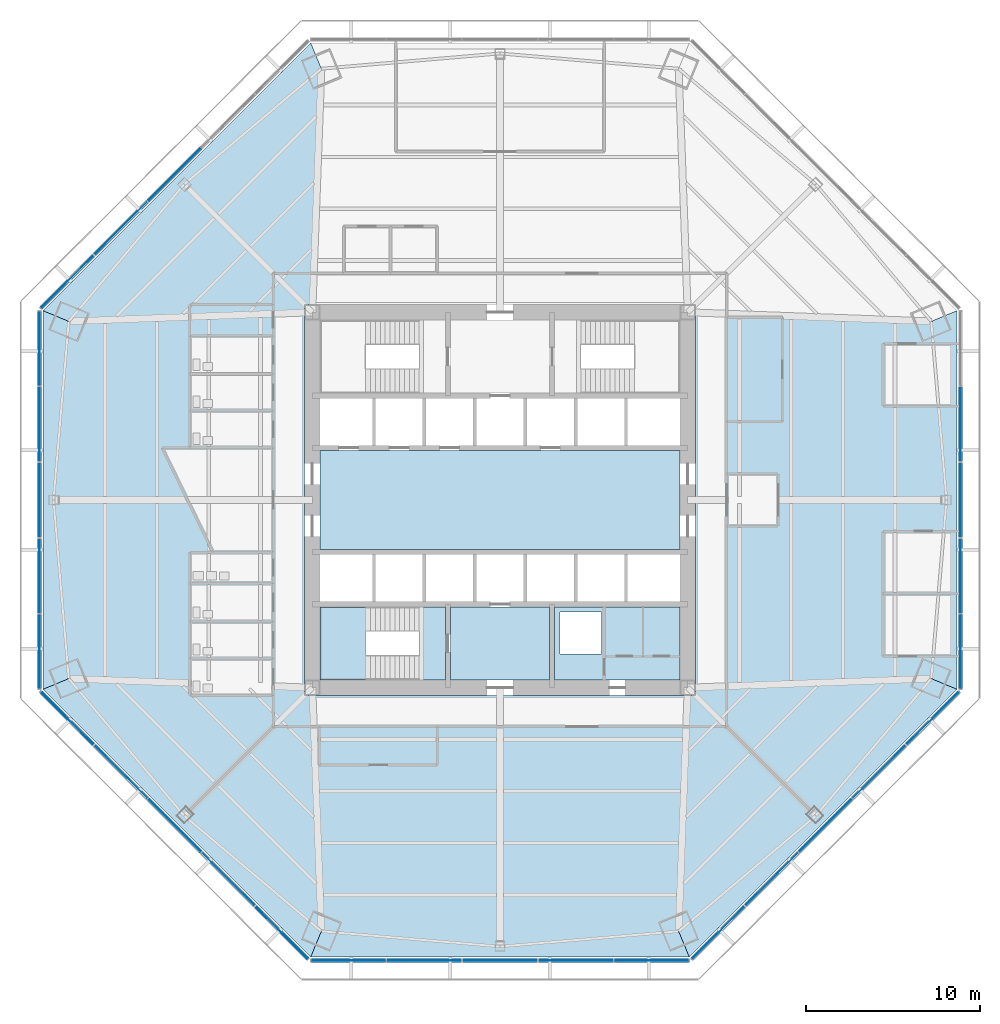
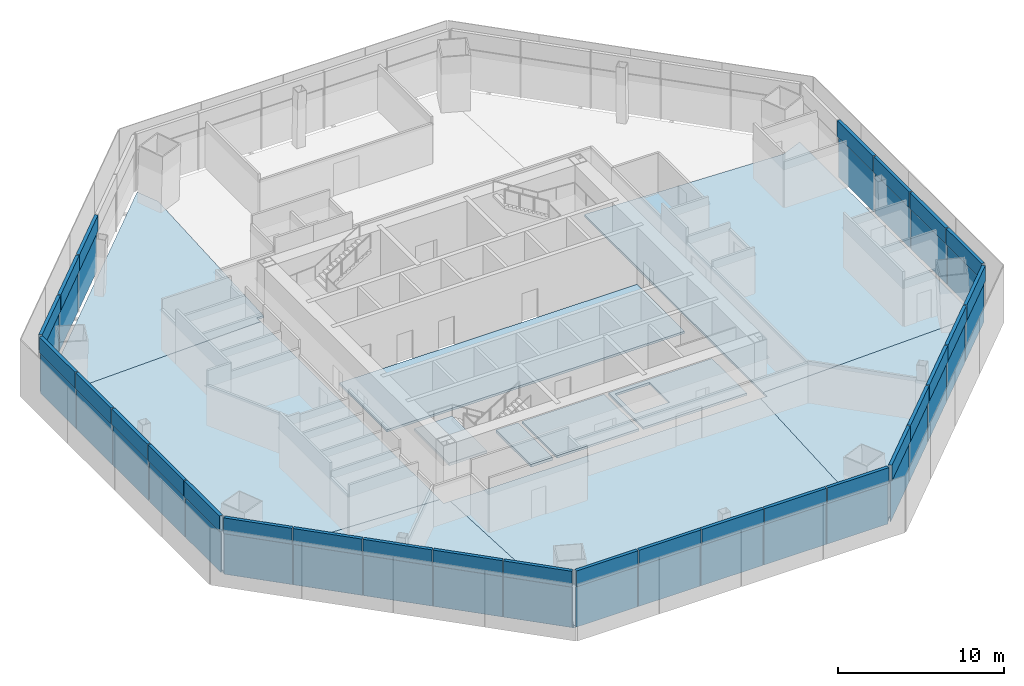
# One storey, part 7 of 14: 54 plates, 11 slabs, 7 elements without a shape of their own.
"""IFC4 building model written with IfcOpenShell, lengths in metres."""

from ifc_helpers import new_model, si_unit, direction, frame, origin, origin_2d, place, context, subcontext, project, spatial, polyline, rectangle, outline, extrude, source, transform, mapped, material, layer, layer_set, type_object, type_shapes, element, aggregate, save


model = new_model("IFC4")

# Units and contexts
model_context = context("Model", 3, precision=1e-05, world=origin(), true_north=direction((0.0, 1.0)))
body_context = subcontext(model_context, "Body", "Model", "MODEL_VIEW")
ifc_project = project(units=[si_unit("LENGTHUNIT", "METRE"), si_unit("AREAUNIT", "SQUARE_METRE"), si_unit("VOLUMEUNIT", "CUBIC_METRE"), si_unit("PLANEANGLEUNIT", "RADIAN"), si_unit("MASSUNIT", "GRAM", prefix="KILO")], contexts=[model_context])

# Site, building, storey
site_placement = place(None, origin())
site = spatial("IfcSite", under=ifc_project, at=site_placement, CompositionType="ELEMENT")
building_placement = place(site_placement, origin())
building = spatial("IfcBuilding", under=site, at=building_placement, Name="Mashrafa Tower", CompositionType="ELEMENT")
storey_placement = place(building_placement, frame((0.0, 0.0, 54.0)))
storey = spatial("IfcBuildingStorey", under=building, at=storey_placement, Name="L11", CompositionType="ELEMENT", Elevation=54.0)

# Slabs
ifc_material_1 = material(Name="Concrete C35/45", Category="concrete")
ifc_layer_1 = layer(ifc_material_1, 0.1650390625)
ifc_layer_set_1 = layer_set([ifc_layer_1], Name="Floor slab 165")
slab_type_1 = type_object("IfcSlabType", Name="Floor slab 165", PredefinedType="FLOOR", material=ifc_layer_set_1)
slab_1_placement = place(storey_placement, frame((0.0, 0.0, -0.1650390625)))
element("IfcSlab", 1, at=slab_1_placement, inside=storey, type_object=slab_type_1, Name="Floor slab L11 east bay", PredefinedType="FLOOR", context=body_context, shape_type="SweptSolid", body=[
    extrude(outline(polyline([(26.287109375, -10.888427734375), (24.813720703125, -10.278076171875), (11.25, -10.783203125), (11.25, 10.783203125), (24.813720703125, 10.278076171875), (26.287109375, 10.888427734375), (26.287109375, -10.888427734375)])), origin(), (0.0, 0.0, 1.0), 0.1650390625),
])
slab_2_placement = place(storey_placement, frame((0.0, 0.0, -0.1650390625)))
element("IfcSlab", 2, at=slab_2_placement, inside=storey, type_object=slab_type_1, Name="Floor slab L11 north-west bay", PredefinedType="FLOOR", context=body_context, shape_type="SweptSolid", body=[
    extrude(outline(polyline([(-26.287109375, 10.888427734375), (-10.888427734375, 26.287109375), (-10.888427734375, 26.287109375), (-10.278076171875, 24.813720703125), (-10.783203125, 11.25), (-11.25, 11.25), (-11.25, 10.783203125), (-24.813720703125, 10.278076171875), (-26.287109375, 10.888427734375), (-26.287109375, 10.888427734375)])), origin(), (0.0, 0.0, 1.0), 0.1650390625),
])
slab_3_placement = place(storey_placement, frame((0.0, 0.0, -0.1650390625)))
element("IfcSlab", 3, at=slab_3_placement, inside=storey, type_object=slab_type_1, Name="Floor slab L11 west bay", PredefinedType="FLOOR", context=body_context, shape_type="SweptSolid", body=[
    extrude(outline(polyline([(-26.287109375, 10.888427734375), (-24.813720703125, 10.278076171875), (-11.25, 10.783203125), (-11.25, -10.783203125), (-24.813720703125, -10.278076171875), (-26.287109375, -10.888427734375), (-26.287109375, 10.888427734375)])), origin(), (0.0, 0.0, 1.0), 0.1650390625),
])
slab_4_placement = place(storey_placement, frame((0.0, 0.0, -0.1650390625)))
element("IfcSlab", 4, at=slab_4_placement, inside=storey, type_object=slab_type_1, Name="Floor slab L11 south-west bay", PredefinedType="FLOOR", context=body_context, shape_type="SweptSolid", body=[
    extrude(outline(polyline([(-10.888427734375, -26.287109375), (-26.287109375, -10.888427734375), (-26.287109375, -10.888427734375), (-24.813720703125, -10.278076171875), (-11.25, -10.783203125), (-11.25, -11.25), (-10.783203125, -11.25), (-10.278076171875, -24.813720703125), (-10.888427734375, -26.287109375), (-10.888427734375, -26.287109375)])), origin(), (0.0, 0.0, 1.0), 0.1650390625),
])
slab_5_placement = place(storey_placement, frame((0.0, 0.0, -0.1650390625)))
element("IfcSlab", 5, at=slab_5_placement, inside=storey, type_object=slab_type_1, Name="Floor slab L11 south bay", PredefinedType="FLOOR", context=body_context, shape_type="SweptSolid", body=[
    extrude(outline(polyline([(-10.888427734375, -26.287109375), (-10.278076171875, -24.813720703125), (-10.783203125, -11.25), (10.783203125, -11.25), (10.278076171875, -24.813720703125), (10.888427734375, -26.287109375), (-10.888427734375, -26.287109375)])), origin(), (0.0, 0.0, 1.0), 0.1650390625),
])
slab_6_placement = place(storey_placement, frame((0.0, 0.0, -0.1650390625)))
element("IfcSlab", 6, at=slab_6_placement, inside=storey, type_object=slab_type_1, Name="Floor slab L11 south-east bay", PredefinedType="FLOOR", context=body_context, shape_type="SweptSolid", body=[
    extrude(outline(polyline([(10.888427734375, -26.287109375), (10.278076171875, -24.813720703125), (10.783203125, -11.25), (11.25, -11.25), (11.25, -10.783203125), (24.813720703125, -10.278076171875), (26.287109375, -10.888427734375), (26.287109375, -10.888427734375), (10.888427734375, -26.287109375), (10.888427734375, -26.287109375)])), origin(), (0.0, 0.0, 1.0), 0.1650390625),
])
slab_7_placement = place(storey_placement, frame((0.0, 0.0, -0.1650390625)))
element("IfcSlab", 7, at=slab_7_placement, inside=storey, type_object=slab_type_1, Name="Core floor lift hall L11", PredefinedType="FLOOR", context=body_context, shape_type="SweptSolid", body=[
    extrude(outline(polyline([(-10.35009765625, 2.85009765625), (10.35009765625, 2.85009765625), (10.35009765625, -2.85009765625), (-10.35009765625, -2.85009765625), (-10.35009765625, 2.85009765625)])), origin(), (0.0, 0.0, 1.0), 0.1650390625),
])
slab_8_placement = place(storey_placement, frame((0.0, 0.0, -0.1650390625)))
element("IfcSlab", 8, at=slab_8_placement, inside=storey, type_object=slab_type_1, Name="Core floor riser and electrical band L11", PredefinedType="FLOOR", context=body_context, shape_type="SweptSolid", body=[
    extrude(outline(polyline([(10.35009765625, -6.14990234375), (10.35009765625, -10.35009765625), (3.14990234375, -10.35009765625), (3.14990234375, -6.14990234375), (10.35009765625, -6.14990234375)]), holes=[polyline([(3.449951171875, -8.85009765625), (5.85009765625, -8.85009765625), (5.85009765625, -6.449951171875), (3.449951171875, -6.449951171875), (3.449951171875, -8.85009765625)])]), origin(), (0.0, 0.0, 1.0), 0.1650390625),
])
slab_9_placement = place(storey_placement, frame((0.0, 0.0, -0.1650390625)))
element("IfcSlab", 9, at=slab_9_placement, inside=storey, type_object=slab_type_1, Name="Core floor fire-fighting lobby south L11", PredefinedType="FLOOR", context=body_context, shape_type="SweptSolid", body=[
    extrude(outline(polyline([(2.85009765625, -6.14990234375), (2.85009765625, -10.35009765625), (-2.85009765625, -10.35009765625), (-2.85009765625, -6.14990234375), (2.85009765625, -6.14990234375)])), origin(), (0.0, 0.0, 1.0), 0.1650390625),
])

# Stair, slabs
ifc_material_2 = material(Name="Exit stair 1400")
stair_type = type_object("IfcStairType", Name="Exit stair 1400", PredefinedType="HALF_TURN_STAIR", material=ifc_material_2)
stair_placement = place(storey_placement, origin())
stair = element("IfcStair", 10, at=stair_placement, inside=storey, type_object=stair_type, Name="Stair S3 L11", PredefinedType="HALF_TURN_STAIR")
ifc_material_3 = material(Name="Concrete C32/40", Category="concrete")
ifc_layer_2 = layer(ifc_material_3, 0.199951171875)
ifc_layer_set_2 = layer_set([ifc_layer_2], Name="Stair landing 200")
slab_type_2 = type_object("IfcSlabType", Name="Stair landing 200", PredefinedType="LANDING", material=ifc_layer_set_2)
slab_10_placement = place(storey_placement, frame((0.0, 0.0, -0.199951171875)))
slab_10 = element("IfcSlab", 11, at=slab_10_placement, type_object=slab_type_2, Name="S3 landing 1", PredefinedType="LANDING", context=body_context, shape_type="SweptSolid", body=[
    extrude(outline(polyline([(-4.659912109375, -10.35009765625), (-3.14990234375, -10.35009765625), (-3.14990234375, -6.14990234375), (-4.659912109375, -6.14990234375), (-4.659912109375, -10.35009765625)])), origin(), (0.0, 0.0, 1.0), 0.199951171875),
])
slab_11_placement = place(storey_placement, frame((0.0, 0.0, 1.89990234375)))
slab_11 = element("IfcSlab", 12, at=slab_11_placement, type_object=slab_type_2, Name="S3 landing 2", PredefinedType="LANDING", context=body_context, shape_type="SweptSolid", body=[
    extrude(outline(polyline([(-10.35009765625, -10.35009765625), (-7.719970703125, -10.35009765625), (-7.719970703125, -6.14990234375), (-10.35009765625, -6.14990234375), (-10.35009765625, -10.35009765625)])), origin(), (0.0, 0.0, 1.0), 0.2001953125),
])
aggregate(stair, [slab_10, slab_11])

# Curtain wall, plate
ifc_material_4 = material(Name="Unitised aluminium curtain wall", Category="aluminium")
curtain_wall_type = type_object("IfcCurtainWallType", Name="Office curtain wall, zone 1 CW-A 200 deep", PredefinedType="NOTDEFINED", material=ifc_material_4)
curtain_wall_1_placement = place(storey_placement, origin())
curtain_wall_1 = element("IfcCurtainWall", 13, at=curtain_wall_1_placement, inside=storey, type_object=curtain_wall_type, Name="Office curtain wall, zone 1 L11 east", PredefinedType="NOTDEFINED")
ifc_material_5 = material(Name="Insulated double glazing, low-e, neutral", Category="glass")
ifc_layer_3 = layer(ifc_material_5, 0.028076171875)
ifc_layer_set_3 = layer_set([ifc_layer_3], Name="Vision panel CW-A 28")
plate_type_1 = type_object("IfcPlateType", Name="Vision panel CW-A 28", PredefinedType="CURTAIN_PANEL", material=ifc_layer_set_3)
shared_shape_1 = source(origin(), body_context, "Body", "SweptSolid", [
    extrude(rectangle(XDim=4.2705078125, YDim=0.028076171875, at=origin_2d()), origin(), (0.0, 0.0, 1.0), 2.9599609375),
])
plate_1_placement = place(storey_placement, frame((26.487060546875, -8.7197265625, 0.0), z_axis=(0.0, 0.0, 1.0), x_axis=(0.0, 1.0, 0.0)))
plate_1 = element("IfcPlate", 14, at=plate_1_placement, type_object=plate_type_1, Name="CW-A vision panel 1", PredefinedType="CURTAIN_PANEL", context=body_context, shape_type="MappedRepresentation", body=[
    mapped(shared_shape_1, transform((0.0, 0.0, 0.0))),
])

curtain_wall_2_placement = place(storey_placement, origin())
curtain_wall_2 = element("IfcCurtainWall", 15, at=curtain_wall_2_placement, inside=storey, type_object=curtain_wall_type, Name="Office curtain wall, zone 1 L11 north-west", PredefinedType="NOTDEFINED")
plate_2_placement = place(storey_placement, frame((-24.89501953125, 12.5634765625, 0.0), z_axis=(0.0, 0.0, 1.0), x_axis=(-0.707106781187, -0.707106781187, 0.0)))
plate_2 = element("IfcPlate", 16, at=plate_2_placement, type_object=plate_type_1, Name="CW-A vision panel 5", PredefinedType="CURTAIN_PANEL", context=body_context, shape_type="MappedRepresentation", body=[
    mapped(shared_shape_1, transform((0.0, 0.0, 0.0))),
])

# Curtain wall, plates
curtain_wall_3_placement = place(storey_placement, origin())
curtain_wall_3 = element("IfcCurtainWall", 17, at=curtain_wall_3_placement, inside=storey, type_object=curtain_wall_type, Name="Office curtain wall, zone 1 L11 west", PredefinedType="NOTDEFINED")
plate_3_placement = place(storey_placement, frame((-26.487060546875, 8.7197265625, 0.0), z_axis=(0.0, 0.0, 1.0), x_axis=(0.0, -1.0, 0.0)))
plate_3 = element("IfcPlate", 18, at=plate_3_placement, type_object=plate_type_1, Name="CW-A vision panel 1", PredefinedType="CURTAIN_PANEL", context=body_context, shape_type="MappedRepresentation", body=[
    mapped(shared_shape_1, transform((0.0, 0.0, 0.0))),
])
plate_4_placement = place(storey_placement, frame((-26.487060546875, -8.7197265625, 0.0), z_axis=(0.0, 0.0, 1.0), x_axis=(0.0, -1.0, 0.0)))
plate_4 = element("IfcPlate", 19, at=plate_4_placement, type_object=plate_type_1, Name="CW-A vision panel 5", PredefinedType="CURTAIN_PANEL", context=body_context, shape_type="MappedRepresentation", body=[
    mapped(shared_shape_1, transform((0.0, 0.0, 0.0))),
])

curtain_wall_4_placement = place(storey_placement, origin())
curtain_wall_4 = element("IfcCurtainWall", 20, at=curtain_wall_4_placement, inside=storey, type_object=curtain_wall_type, Name="Office curtain wall, zone 1 L11 south-west", PredefinedType="NOTDEFINED")
plate_5_placement = place(storey_placement, frame((-24.89501953125, -12.5634765625, 0.0), z_axis=(0.0, 0.0, 1.0), x_axis=(0.707106781187, -0.707106781187, 0.0)))
plate_5 = element("IfcPlate", 21, at=plate_5_placement, type_object=plate_type_1, Name="CW-A vision panel 1", PredefinedType="CURTAIN_PANEL", context=body_context, shape_type="MappedRepresentation", body=[
    mapped(shared_shape_1, transform((0.0, 0.0, 0.0))),
])
plate_6_placement = place(storey_placement, frame((-12.5634765625, -24.89501953125, 0.0), z_axis=(0.0, 0.0, 1.0), x_axis=(0.707106781187, -0.707106781187, 0.0)))
plate_6 = element("IfcPlate", 22, at=plate_6_placement, type_object=plate_type_1, Name="CW-A vision panel 5", PredefinedType="CURTAIN_PANEL", context=body_context, shape_type="MappedRepresentation", body=[
    mapped(shared_shape_1, transform((0.0, 0.0, 0.0))),
])

curtain_wall_5_placement = place(storey_placement, origin())
curtain_wall_5 = element("IfcCurtainWall", 23, at=curtain_wall_5_placement, inside=storey, type_object=curtain_wall_type, Name="Office curtain wall, zone 1 L11 south", PredefinedType="NOTDEFINED")
plate_7_placement = place(storey_placement, frame((-8.7197265625, -26.487060546875, 0.0), z_axis=(0.0, 0.0, 1.0), x_axis=(1.0, 0.0, 0.0)))
plate_7 = element("IfcPlate", 24, at=plate_7_placement, type_object=plate_type_1, Name="CW-A vision panel 1", PredefinedType="CURTAIN_PANEL", context=body_context, shape_type="MappedRepresentation", body=[
    mapped(shared_shape_1, transform((0.0, 0.0, 0.0))),
])
plate_8_placement = place(storey_placement, frame((8.7197265625, -26.487060546875, 0.0), z_axis=(0.0, 0.0, 1.0), x_axis=(1.0, 0.0, 0.0)))
plate_8 = element("IfcPlate", 25, at=plate_8_placement, type_object=plate_type_1, Name="CW-A vision panel 5", PredefinedType="CURTAIN_PANEL", context=body_context, shape_type="MappedRepresentation", body=[
    mapped(shared_shape_1, transform((0.0, 0.0, 0.0))),
])

curtain_wall_6_placement = place(storey_placement, origin())
curtain_wall_6 = element("IfcCurtainWall", 26, at=curtain_wall_6_placement, inside=storey, type_object=curtain_wall_type, Name="Office curtain wall, zone 1 L11 south-east", PredefinedType="NOTDEFINED")
plate_9_placement = place(storey_placement, frame((12.5634765625, -24.89501953125, 0.0), z_axis=(0.0, 0.0, 1.0), x_axis=(0.707106781187, 0.707106781187, 0.0)))
plate_9 = element("IfcPlate", 27, at=plate_9_placement, type_object=plate_type_1, Name="CW-A vision panel 1", PredefinedType="CURTAIN_PANEL", context=body_context, shape_type="MappedRepresentation", body=[
    mapped(shared_shape_1, transform((0.0, 0.0, 0.0))),
])
plate_10_placement = place(storey_placement, frame((24.89501953125, -12.5634765625, 0.0), z_axis=(0.0, 0.0, 1.0), x_axis=(0.707106781187, 0.707106781187, 0.0)))
plate_10 = element("IfcPlate", 28, at=plate_10_placement, type_object=plate_type_1, Name="CW-A vision panel 5", PredefinedType="CURTAIN_PANEL", context=body_context, shape_type="MappedRepresentation", body=[
    mapped(shared_shape_1, transform((0.0, 0.0, 0.0))),
])

# Plate
ifc_material_6 = material(Name="Insulated aluminium spandrel panel", Category="aluminium")
ifc_layer_4 = layer(ifc_material_6, 0.219970703125)
ifc_layer_set_4 = layer_set([ifc_layer_4], Name="Spandrel panel CW-A 220")
plate_type_2 = type_object("IfcPlateType", Name="Spandrel panel CW-A 220", PredefinedType="CURTAIN_PANEL", material=ifc_layer_set_4)
shared_shape_2 = source(origin(), body_context, "Body", "SweptSolid", [
    extrude(rectangle(XDim=4.2705078125, YDim=0.219970703125, at=origin_2d()), origin(), (0.0, 0.0, 1.0), 1.159912109375),
])
plate_11_placement = place(storey_placement, frame((26.487060546875, -8.7197265625, 3.0400390625), z_axis=(0.0, 0.0, 1.0), x_axis=(0.0, 1.0, 0.0)))
plate_11 = element("IfcPlate", 29, at=plate_11_placement, type_object=plate_type_2, Name="CW-A spandrel panel 1", PredefinedType="CURTAIN_PANEL", context=body_context, shape_type="MappedRepresentation", body=[
    mapped(shared_shape_2, transform((0.0, 0.0, 0.0))),
])

plate_12_placement = place(storey_placement, frame((-24.89501953125, 12.5634765625, 3.0400390625), z_axis=(0.0, 0.0, 1.0), x_axis=(-0.707106781187, -0.707106781187, 0.0)))
plate_12 = element("IfcPlate", 30, at=plate_12_placement, type_object=plate_type_2, Name="CW-A spandrel panel 5", PredefinedType="CURTAIN_PANEL", context=body_context, shape_type="MappedRepresentation", body=[
    mapped(shared_shape_2, transform((0.0, 0.0, 0.0))),
])

plate_13_placement = place(storey_placement, frame((-26.487060546875, 8.7197265625, 3.0400390625), z_axis=(0.0, 0.0, 1.0), x_axis=(0.0, -1.0, 0.0)))
plate_13 = element("IfcPlate", 31, at=plate_13_placement, type_object=plate_type_2, Name="CW-A spandrel panel 1", PredefinedType="CURTAIN_PANEL", context=body_context, shape_type="MappedRepresentation", body=[
    mapped(shared_shape_2, transform((0.0, 0.0, 0.0))),
])

plate_14_placement = place(storey_placement, frame((-26.487060546875, -8.7197265625, 3.0400390625), z_axis=(0.0, 0.0, 1.0), x_axis=(0.0, -1.0, 0.0)))
plate_14 = element("IfcPlate", 32, at=plate_14_placement, type_object=plate_type_2, Name="CW-A spandrel panel 5", PredefinedType="CURTAIN_PANEL", context=body_context, shape_type="MappedRepresentation", body=[
    mapped(shared_shape_2, transform((0.0, 0.0, 0.0))),
])

plate_15_placement = place(storey_placement, frame((-24.89501953125, -12.5634765625, 3.0400390625), z_axis=(0.0, 0.0, 1.0), x_axis=(0.707106781187, -0.707106781187, 0.0)))
plate_15 = element("IfcPlate", 33, at=plate_15_placement, type_object=plate_type_2, Name="CW-A spandrel panel 1", PredefinedType="CURTAIN_PANEL", context=body_context, shape_type="MappedRepresentation", body=[
    mapped(shared_shape_2, transform((0.0, 0.0, 0.0))),
])

plate_16_placement = place(storey_placement, frame((-12.5634765625, -24.89501953125, 3.0400390625), z_axis=(0.0, 0.0, 1.0), x_axis=(0.707106781187, -0.707106781187, 0.0)))
plate_16 = element("IfcPlate", 34, at=plate_16_placement, type_object=plate_type_2, Name="CW-A spandrel panel 5", PredefinedType="CURTAIN_PANEL", context=body_context, shape_type="MappedRepresentation", body=[
    mapped(shared_shape_2, transform((0.0, 0.0, 0.0))),
])

plate_17_placement = place(storey_placement, frame((-8.7197265625, -26.487060546875, 3.0400390625), z_axis=(0.0, 0.0, 1.0), x_axis=(1.0, 0.0, 0.0)))
plate_17 = element("IfcPlate", 35, at=plate_17_placement, type_object=plate_type_2, Name="CW-A spandrel panel 1", PredefinedType="CURTAIN_PANEL", context=body_context, shape_type="MappedRepresentation", body=[
    mapped(shared_shape_2, transform((0.0, 0.0, 0.0))),
])

plate_18_placement = place(storey_placement, frame((8.7197265625, -26.487060546875, 3.0400390625), z_axis=(0.0, 0.0, 1.0), x_axis=(1.0, 0.0, 0.0)))
plate_18 = element("IfcPlate", 36, at=plate_18_placement, type_object=plate_type_2, Name="CW-A spandrel panel 5", PredefinedType="CURTAIN_PANEL", context=body_context, shape_type="MappedRepresentation", body=[
    mapped(shared_shape_2, transform((0.0, 0.0, 0.0))),
])

plate_19_placement = place(storey_placement, frame((12.5634765625, -24.89501953125, 3.0400390625), z_axis=(0.0, 0.0, 1.0), x_axis=(0.707106781187, 0.707106781187, 0.0)))
plate_19 = element("IfcPlate", 37, at=plate_19_placement, type_object=plate_type_2, Name="CW-A spandrel panel 1", PredefinedType="CURTAIN_PANEL", context=body_context, shape_type="MappedRepresentation", body=[
    mapped(shared_shape_2, transform((0.0, 0.0, 0.0))),
])

plate_20_placement = place(storey_placement, frame((24.89501953125, -12.5634765625, 3.0400390625), z_axis=(0.0, 0.0, 1.0), x_axis=(0.707106781187, 0.707106781187, 0.0)))
plate_20 = element("IfcPlate", 38, at=plate_20_placement, type_object=plate_type_2, Name="CW-A spandrel panel 5", PredefinedType="CURTAIN_PANEL", context=body_context, shape_type="MappedRepresentation", body=[
    mapped(shared_shape_2, transform((0.0, 0.0, 0.0))),
])

shared_shape_3 = source(origin(), body_context, "Body", "SweptSolid", [
    extrude(rectangle(XDim=4.302978515625, YDim=0.028076171875, at=origin_2d()), origin(), (0.0, 0.0, 1.0), 2.9599609375),
])
type_shapes(plate_type_1, [shared_shape_1, shared_shape_3])
plate_21_placement = place(storey_placement, frame((26.487060546875, -4.367919921875, 0.0), z_axis=(0.0, 0.0, 1.0), x_axis=(0.0, 1.0, 0.0)))
plate_21 = element("IfcPlate", 39, at=plate_21_placement, type_object=plate_type_1, Name="CW-A vision panel 2", PredefinedType="CURTAIN_PANEL", context=body_context, shape_type="MappedRepresentation", body=[
    mapped(shared_shape_3, transform((0.0, 0.0, 0.0))),
])

plate_22_placement = place(storey_placement, frame((26.487060546875, 0.0, 0.0), z_axis=(0.0, 0.0, 1.0), x_axis=(0.0, 1.0, 0.0)))
plate_22 = element("IfcPlate", 40, at=plate_22_placement, type_object=plate_type_1, Name="CW-A vision panel 3", PredefinedType="CURTAIN_PANEL", context=body_context, shape_type="MappedRepresentation", body=[
    mapped(shared_shape_3, transform((0.0, 0.0, 0.0))),
])

plate_23_placement = place(storey_placement, frame((26.487060546875, 4.367919921875, 0.0), z_axis=(0.0, 0.0, 1.0), x_axis=(0.0, 1.0, 0.0)))
plate_23 = element("IfcPlate", 41, at=plate_23_placement, type_object=plate_type_1, Name="CW-A vision panel 4", PredefinedType="CURTAIN_PANEL", context=body_context, shape_type="MappedRepresentation", body=[
    mapped(shared_shape_3, transform((0.0, 0.0, 0.0))),
])

plate_24_placement = place(storey_placement, frame((-18.729248046875, 18.729248046875, 0.0), z_axis=(0.0, 0.0, 1.0), x_axis=(-0.707106781187, -0.707106781187, 0.0)))
plate_24 = element("IfcPlate", 42, at=plate_24_placement, type_object=plate_type_1, Name="CW-A vision panel 3", PredefinedType="CURTAIN_PANEL", context=body_context, shape_type="MappedRepresentation", body=[
    mapped(shared_shape_3, transform((0.0, 0.0, 0.0))),
])

plate_25_placement = place(storey_placement, frame((-21.81787109375, 15.640625, 0.0), z_axis=(0.0, 0.0, 1.0), x_axis=(-0.707106781187, -0.707106781187, 0.0)))
plate_25 = element("IfcPlate", 43, at=plate_25_placement, type_object=plate_type_1, Name="CW-A vision panel 4", PredefinedType="CURTAIN_PANEL", context=body_context, shape_type="MappedRepresentation", body=[
    mapped(shared_shape_3, transform((0.0, 0.0, 0.0))),
])

plate_26_placement = place(storey_placement, frame((-26.487060546875, 4.367919921875, 0.0), z_axis=(0.0, 0.0, 1.0), x_axis=(0.0, -1.0, 0.0)))
plate_26 = element("IfcPlate", 44, at=plate_26_placement, type_object=plate_type_1, Name="CW-A vision panel 2", PredefinedType="CURTAIN_PANEL", context=body_context, shape_type="MappedRepresentation", body=[
    mapped(shared_shape_3, transform((0.0, 0.0, 0.0))),
])

plate_27_placement = place(storey_placement, frame((-26.487060546875, 0.0, 0.0), z_axis=(0.0, 0.0, 1.0), x_axis=(0.0, -1.0, 0.0)))
plate_27 = element("IfcPlate", 45, at=plate_27_placement, type_object=plate_type_1, Name="CW-A vision panel 3", PredefinedType="CURTAIN_PANEL", context=body_context, shape_type="MappedRepresentation", body=[
    mapped(shared_shape_3, transform((0.0, 0.0, 0.0))),
])

plate_28_placement = place(storey_placement, frame((-26.487060546875, -4.367919921875, 0.0), z_axis=(0.0, 0.0, 1.0), x_axis=(0.0, -1.0, 0.0)))
plate_28 = element("IfcPlate", 46, at=plate_28_placement, type_object=plate_type_1, Name="CW-A vision panel 4", PredefinedType="CURTAIN_PANEL", context=body_context, shape_type="MappedRepresentation", body=[
    mapped(shared_shape_3, transform((0.0, 0.0, 0.0))),
])

plate_29_placement = place(storey_placement, frame((-21.81787109375, -15.640625, 0.0), z_axis=(0.0, 0.0, 1.0), x_axis=(0.707106781187, -0.707106781187, 0.0)))
plate_29 = element("IfcPlate", 47, at=plate_29_placement, type_object=plate_type_1, Name="CW-A vision panel 2", PredefinedType="CURTAIN_PANEL", context=body_context, shape_type="MappedRepresentation", body=[
    mapped(shared_shape_3, transform((0.0, 0.0, 0.0))),
])

plate_30_placement = place(storey_placement, frame((-18.729248046875, -18.729248046875, 0.0), z_axis=(0.0, 0.0, 1.0), x_axis=(0.707106781187, -0.707106781187, 0.0)))
plate_30 = element("IfcPlate", 48, at=plate_30_placement, type_object=plate_type_1, Name="CW-A vision panel 3", PredefinedType="CURTAIN_PANEL", context=body_context, shape_type="MappedRepresentation", body=[
    mapped(shared_shape_3, transform((0.0, 0.0, 0.0))),
])

plate_31_placement = place(storey_placement, frame((-15.640625, -21.81787109375, 0.0), z_axis=(0.0, 0.0, 1.0), x_axis=(0.707106781187, -0.707106781187, 0.0)))
plate_31 = element("IfcPlate", 49, at=plate_31_placement, type_object=plate_type_1, Name="CW-A vision panel 4", PredefinedType="CURTAIN_PANEL", context=body_context, shape_type="MappedRepresentation", body=[
    mapped(shared_shape_3, transform((0.0, 0.0, 0.0))),
])

plate_32_placement = place(storey_placement, frame((-4.367919921875, -26.487060546875, 0.0), z_axis=(0.0, 0.0, 1.0), x_axis=(1.0, 0.0, 0.0)))
plate_32 = element("IfcPlate", 50, at=plate_32_placement, type_object=plate_type_1, Name="CW-A vision panel 2", PredefinedType="CURTAIN_PANEL", context=body_context, shape_type="MappedRepresentation", body=[
    mapped(shared_shape_3, transform((0.0, 0.0, 0.0))),
])

plate_33_placement = place(storey_placement, frame((0.0, -26.487060546875, 0.0), z_axis=(0.0, 0.0, 1.0), x_axis=(1.0, 0.0, 0.0)))
plate_33 = element("IfcPlate", 51, at=plate_33_placement, type_object=plate_type_1, Name="CW-A vision panel 3", PredefinedType="CURTAIN_PANEL", context=body_context, shape_type="MappedRepresentation", body=[
    mapped(shared_shape_3, transform((0.0, 0.0, 0.0))),
])

plate_34_placement = place(storey_placement, frame((4.367919921875, -26.487060546875, 0.0), z_axis=(0.0, 0.0, 1.0), x_axis=(1.0, 0.0, 0.0)))
plate_34 = element("IfcPlate", 52, at=plate_34_placement, type_object=plate_type_1, Name="CW-A vision panel 4", PredefinedType="CURTAIN_PANEL", context=body_context, shape_type="MappedRepresentation", body=[
    mapped(shared_shape_3, transform((0.0, 0.0, 0.0))),
])

plate_35_placement = place(storey_placement, frame((15.640625, -21.81787109375, 0.0), z_axis=(0.0, 0.0, 1.0), x_axis=(0.707106781187, 0.707106781187, 0.0)))
plate_35 = element("IfcPlate", 53, at=plate_35_placement, type_object=plate_type_1, Name="CW-A vision panel 2", PredefinedType="CURTAIN_PANEL", context=body_context, shape_type="MappedRepresentation", body=[
    mapped(shared_shape_3, transform((0.0, 0.0, 0.0))),
])

plate_36_placement = place(storey_placement, frame((18.729248046875, -18.729248046875, 0.0), z_axis=(0.0, 0.0, 1.0), x_axis=(0.707106781187, 0.707106781187, 0.0)))
plate_36 = element("IfcPlate", 54, at=plate_36_placement, type_object=plate_type_1, Name="CW-A vision panel 3", PredefinedType="CURTAIN_PANEL", context=body_context, shape_type="MappedRepresentation", body=[
    mapped(shared_shape_3, transform((0.0, 0.0, 0.0))),
])

plate_37_placement = place(storey_placement, frame((21.81787109375, -15.640625, 0.0), z_axis=(0.0, 0.0, 1.0), x_axis=(0.707106781187, 0.707106781187, 0.0)))
plate_37 = element("IfcPlate", 55, at=plate_37_placement, type_object=plate_type_1, Name="CW-A vision panel 4", PredefinedType="CURTAIN_PANEL", context=body_context, shape_type="MappedRepresentation", body=[
    mapped(shared_shape_3, transform((0.0, 0.0, 0.0))),
])

shared_shape_4 = source(origin(), body_context, "Body", "SweptSolid", [
    extrude(rectangle(XDim=4.302978515625, YDim=0.219970703125, at=origin_2d()), origin(), (0.0, 0.0, 1.0), 1.159912109375),
])
type_shapes(plate_type_2, [shared_shape_2, shared_shape_4])
plate_38_placement = place(storey_placement, frame((26.487060546875, -4.367919921875, 3.0400390625), z_axis=(0.0, 0.0, 1.0), x_axis=(0.0, 1.0, 0.0)))
plate_38 = element("IfcPlate", 56, at=plate_38_placement, type_object=plate_type_2, Name="CW-A spandrel panel 2", PredefinedType="CURTAIN_PANEL", context=body_context, shape_type="MappedRepresentation", body=[
    mapped(shared_shape_4, transform((0.0, 0.0, 0.0))),
])

plate_39_placement = place(storey_placement, frame((26.487060546875, 0.0, 3.0400390625), z_axis=(0.0, 0.0, 1.0), x_axis=(0.0, 1.0, 0.0)))
plate_39 = element("IfcPlate", 57, at=plate_39_placement, type_object=plate_type_2, Name="CW-A spandrel panel 3", PredefinedType="CURTAIN_PANEL", context=body_context, shape_type="MappedRepresentation", body=[
    mapped(shared_shape_4, transform((0.0, 0.0, 0.0))),
])

plate_40_placement = place(storey_placement, frame((26.487060546875, 4.367919921875, 3.0400390625), z_axis=(0.0, 0.0, 1.0), x_axis=(0.0, 1.0, 0.0)))
plate_40 = element("IfcPlate", 58, at=plate_40_placement, type_object=plate_type_2, Name="CW-A spandrel panel 4", PredefinedType="CURTAIN_PANEL", context=body_context, shape_type="MappedRepresentation", body=[
    mapped(shared_shape_4, transform((0.0, 0.0, 0.0))),
])

aggregate(curtain_wall_1, [plate_1, plate_11, plate_21, plate_38, plate_22, plate_39, plate_23, plate_40])

plate_41_placement = place(storey_placement, frame((-18.729248046875, 18.729248046875, 3.0400390625), z_axis=(0.0, 0.0, 1.0), x_axis=(-0.707106781187, -0.707106781187, 0.0)))
plate_41 = element("IfcPlate", 59, at=plate_41_placement, type_object=plate_type_2, Name="CW-A spandrel panel 3", PredefinedType="CURTAIN_PANEL", context=body_context, shape_type="MappedRepresentation", body=[
    mapped(shared_shape_4, transform((0.0, 0.0, 0.0))),
])

plate_42_placement = place(storey_placement, frame((-21.81787109375, 15.640625, 3.0400390625), z_axis=(0.0, 0.0, 1.0), x_axis=(-0.707106781187, -0.707106781187, 0.0)))
plate_42 = element("IfcPlate", 60, at=plate_42_placement, type_object=plate_type_2, Name="CW-A spandrel panel 4", PredefinedType="CURTAIN_PANEL", context=body_context, shape_type="MappedRepresentation", body=[
    mapped(shared_shape_4, transform((0.0, 0.0, 0.0))),
])

aggregate(curtain_wall_2, [plate_24, plate_41, plate_25, plate_42, plate_2, plate_12])

plate_43_placement = place(storey_placement, frame((-26.487060546875, 4.367919921875, 3.0400390625), z_axis=(0.0, 0.0, 1.0), x_axis=(0.0, -1.0, 0.0)))
plate_43 = element("IfcPlate", 61, at=plate_43_placement, type_object=plate_type_2, Name="CW-A spandrel panel 2", PredefinedType="CURTAIN_PANEL", context=body_context, shape_type="MappedRepresentation", body=[
    mapped(shared_shape_4, transform((0.0, 0.0, 0.0))),
])

plate_44_placement = place(storey_placement, frame((-26.487060546875, 0.0, 3.0400390625), z_axis=(0.0, 0.0, 1.0), x_axis=(0.0, -1.0, 0.0)))
plate_44 = element("IfcPlate", 62, at=plate_44_placement, type_object=plate_type_2, Name="CW-A spandrel panel 3", PredefinedType="CURTAIN_PANEL", context=body_context, shape_type="MappedRepresentation", body=[
    mapped(shared_shape_4, transform((0.0, 0.0, 0.0))),
])

plate_45_placement = place(storey_placement, frame((-26.487060546875, -4.367919921875, 3.0400390625), z_axis=(0.0, 0.0, 1.0), x_axis=(0.0, -1.0, 0.0)))
plate_45 = element("IfcPlate", 63, at=plate_45_placement, type_object=plate_type_2, Name="CW-A spandrel panel 4", PredefinedType="CURTAIN_PANEL", context=body_context, shape_type="MappedRepresentation", body=[
    mapped(shared_shape_4, transform((0.0, 0.0, 0.0))),
])

aggregate(curtain_wall_3, [plate_3, plate_13, plate_26, plate_43, plate_27, plate_44, plate_28, plate_45, plate_4, plate_14])

plate_46_placement = place(storey_placement, frame((-21.81787109375, -15.640625, 3.0400390625), z_axis=(0.0, 0.0, 1.0), x_axis=(0.707106781187, -0.707106781187, 0.0)))
plate_46 = element("IfcPlate", 64, at=plate_46_placement, type_object=plate_type_2, Name="CW-A spandrel panel 2", PredefinedType="CURTAIN_PANEL", context=body_context, shape_type="MappedRepresentation", body=[
    mapped(shared_shape_4, transform((0.0, 0.0, 0.0))),
])

plate_47_placement = place(storey_placement, frame((-18.729248046875, -18.729248046875, 3.0400390625), z_axis=(0.0, 0.0, 1.0), x_axis=(0.707106781187, -0.707106781187, 0.0)))
plate_47 = element("IfcPlate", 65, at=plate_47_placement, type_object=plate_type_2, Name="CW-A spandrel panel 3", PredefinedType="CURTAIN_PANEL", context=body_context, shape_type="MappedRepresentation", body=[
    mapped(shared_shape_4, transform((0.0, 0.0, 0.0))),
])

plate_48_placement = place(storey_placement, frame((-15.640625, -21.81787109375, 3.0400390625), z_axis=(0.0, 0.0, 1.0), x_axis=(0.707106781187, -0.707106781187, 0.0)))
plate_48 = element("IfcPlate", 66, at=plate_48_placement, type_object=plate_type_2, Name="CW-A spandrel panel 4", PredefinedType="CURTAIN_PANEL", context=body_context, shape_type="MappedRepresentation", body=[
    mapped(shared_shape_4, transform((0.0, 0.0, 0.0))),
])

aggregate(curtain_wall_4, [plate_5, plate_15, plate_29, plate_46, plate_30, plate_47, plate_31, plate_48, plate_6, plate_16])

plate_49_placement = place(storey_placement, frame((-4.367919921875, -26.487060546875, 3.0400390625), z_axis=(0.0, 0.0, 1.0), x_axis=(1.0, 0.0, 0.0)))
plate_49 = element("IfcPlate", 67, at=plate_49_placement, type_object=plate_type_2, Name="CW-A spandrel panel 2", PredefinedType="CURTAIN_PANEL", context=body_context, shape_type="MappedRepresentation", body=[
    mapped(shared_shape_4, transform((0.0, 0.0, 0.0))),
])

plate_50_placement = place(storey_placement, frame((0.0, -26.487060546875, 3.0400390625), z_axis=(0.0, 0.0, 1.0), x_axis=(1.0, 0.0, 0.0)))
plate_50 = element("IfcPlate", 68, at=plate_50_placement, type_object=plate_type_2, Name="CW-A spandrel panel 3", PredefinedType="CURTAIN_PANEL", context=body_context, shape_type="MappedRepresentation", body=[
    mapped(shared_shape_4, transform((0.0, 0.0, 0.0))),
])

plate_51_placement = place(storey_placement, frame((4.367919921875, -26.487060546875, 3.0400390625), z_axis=(0.0, 0.0, 1.0), x_axis=(1.0, 0.0, 0.0)))
plate_51 = element("IfcPlate", 69, at=plate_51_placement, type_object=plate_type_2, Name="CW-A spandrel panel 4", PredefinedType="CURTAIN_PANEL", context=body_context, shape_type="MappedRepresentation", body=[
    mapped(shared_shape_4, transform((0.0, 0.0, 0.0))),
])

aggregate(curtain_wall_5, [plate_7, plate_17, plate_32, plate_49, plate_33, plate_50, plate_34, plate_51, plate_8, plate_18])

plate_52_placement = place(storey_placement, frame((15.640625, -21.81787109375, 3.0400390625), z_axis=(0.0, 0.0, 1.0), x_axis=(0.707106781187, 0.707106781187, 0.0)))
plate_52 = element("IfcPlate", 70, at=plate_52_placement, type_object=plate_type_2, Name="CW-A spandrel panel 2", PredefinedType="CURTAIN_PANEL", context=body_context, shape_type="MappedRepresentation", body=[
    mapped(shared_shape_4, transform((0.0, 0.0, 0.0))),
])

plate_53_placement = place(storey_placement, frame((18.729248046875, -18.729248046875, 3.0400390625), z_axis=(0.0, 0.0, 1.0), x_axis=(0.707106781187, 0.707106781187, 0.0)))
plate_53 = element("IfcPlate", 71, at=plate_53_placement, type_object=plate_type_2, Name="CW-A spandrel panel 3", PredefinedType="CURTAIN_PANEL", context=body_context, shape_type="MappedRepresentation", body=[
    mapped(shared_shape_4, transform((0.0, 0.0, 0.0))),
])

plate_54_placement = place(storey_placement, frame((21.81787109375, -15.640625, 3.0400390625), z_axis=(0.0, 0.0, 1.0), x_axis=(0.707106781187, 0.707106781187, 0.0)))
plate_54 = element("IfcPlate", 72, at=plate_54_placement, type_object=plate_type_2, Name="CW-A spandrel panel 4", PredefinedType="CURTAIN_PANEL", context=body_context, shape_type="MappedRepresentation", body=[
    mapped(shared_shape_4, transform((0.0, 0.0, 0.0))),
])

aggregate(curtain_wall_6, [plate_9, plate_19, plate_35, plate_52, plate_36, plate_53, plate_37, plate_54, plate_10, plate_20])

save(model, "model.ifc")
